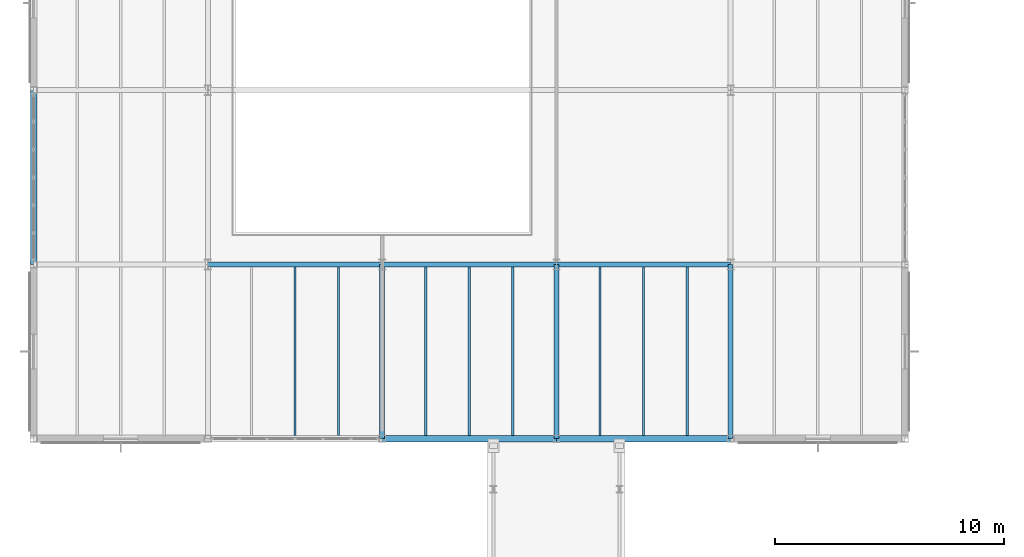
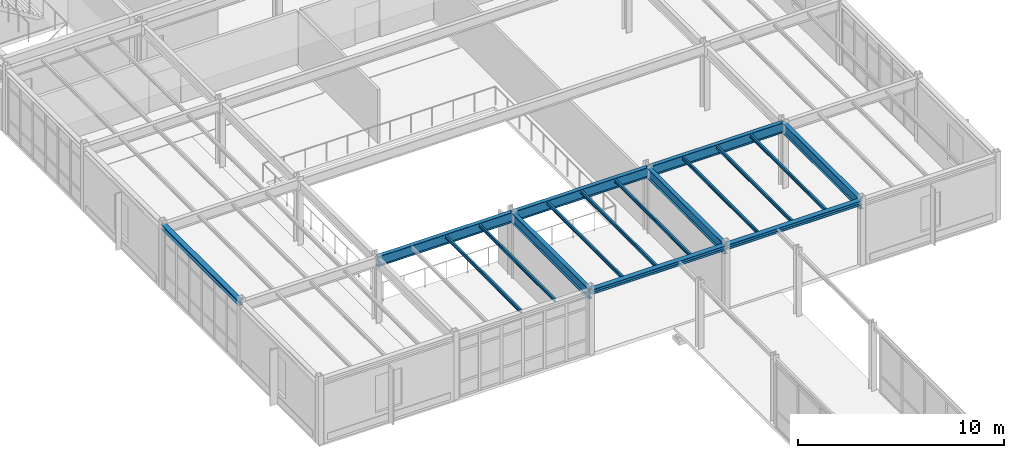
# One storey, part 66 of 165: 17 beams.
"""IFC4 building model written with IfcOpenShell, lengths in metres."""

from ifc_helpers import new_model, si_unit, direction, frame, origin, origin_2d, place, context, subcontext, project, spatial, i_section, extrude, material, material_profile, profile_set, type_object, element, save


model = new_model("IFC4")

# Units and contexts
model_context = context("Model", 3, precision=1e-05, world=origin(), true_north=direction((0.0, 1.0)))
body_context = subcontext(model_context, "Body", "Model", "MODEL_VIEW")
ifc_project = project(units=[si_unit("LENGTHUNIT", "METRE"), si_unit("AREAUNIT", "SQUARE_METRE"), si_unit("VOLUMEUNIT", "CUBIC_METRE"), si_unit("PLANEANGLEUNIT", "RADIAN"), si_unit("MASSUNIT", "GRAM", prefix="KILO")], contexts=[model_context])

# Site, building, storey
site_placement = place(None, origin())
site = spatial("IfcSite", under=ifc_project, at=site_placement, CompositionType="ELEMENT")
building_placement = place(site_placement, origin())
building = spatial("IfcBuilding", under=site, at=building_placement, Name="Montecoro Central Library", CompositionType="ELEMENT")
storey_placement = place(building_placement, frame((0.0, 0.0, 5.10009765625)))
storey = spatial("IfcBuildingStorey", under=building, at=storey_placement, Name="L01", CompositionType="ELEMENT", Elevation=5.10009765625)

# Beams
ifc_material_1 = material(Name="Steel S355J2", Category="steel")
ifc_material_profile_1 = material_profile(ifc_material_1, i_section(OverallWidth=0.219970703125, OverallDepth=0.60009765625, WebThickness=0.011962890625, FlangeThickness=0.01904296875, at=origin_2d()), Name="IPE 600")
ifc_profile_set_1 = profile_set([ifc_material_profile_1], Name="Steel S355J2")
beam_type_1 = type_object("IfcBeamType", Name="BM-G-IPE600", PredefinedType="USERDEFINED", material=ifc_profile_set_1)
beam_1_placement = place(storey_placement, frame((12.60498046875, 81.0, 3.52490234375), z_axis=(1.0, 0.0, 0.0), x_axis=(0.0, 1.0, 0.0)))
element("IfcBeam", 1, at=beam_1_placement, inside=storey, type_object=beam_type_1, Name="V4-L01-BX-23-L", ObjectType="GIRDER", PredefinedType="USERDEFINED", context=body_context, shape_type="SweptSolid", body=[
    extrude(i_section(OverallWidth=0.219970703125, OverallDepth=0.60009765625, WebThickness=0.011962890625, FlangeThickness=0.01904296875, at=origin_2d()), origin(), (0.0, 0.0, 1.0), 7.590087890625),
])
beam_2_placement = place(storey_placement, frame((20.205078125, 81.0, 3.52490234375), z_axis=(1.0, 0.0, 0.0), x_axis=(0.0, 1.0, 0.0)))
element("IfcBeam", 2, at=beam_2_placement, inside=storey, type_object=beam_type_1, Name="V4-L01-BX-34-L", ObjectType="GIRDER", PredefinedType="USERDEFINED", context=body_context, shape_type="SweptSolid", body=[
    extrude(i_section(OverallWidth=0.219970703125, OverallDepth=0.60009765625, WebThickness=0.011962890625, FlangeThickness=0.01904296875, at=origin_2d()), origin(), (0.0, 0.0, 1.0), 7.58984375),
])
for number, where, z_axis, x_axis, name in (
    (3, (27.804931640625, 81.0, 3.52490234375), (1.0, 0.0, 0.0), (0.0, 1.0, 0.0), "V4-L01-BX-45-L"),
    (4, (20.199951171875, 73.405029296875, 3.52490234375), (0.0, 1.0, 0.0), (-1.0, 0.0, 0.0), "V4-L01-BY-3-KL"),
    (5, (27.800048828125, 73.405029296875, 3.52490234375), (0.0, 1.0, 0.0), (-1.0, 0.0, 0.0), "V4-L01-BY-4-KL"),
    (6, (35.39990234375, 73.405029296875, 3.52490234375), (0.0, 1.0, 0.0), (-1.0, 0.0, 0.0), "V4-L01-BY-5-KL"),
):
    element("IfcBeam", number, at=place(storey_placement, frame(where, z_axis=z_axis, x_axis=x_axis)), inside=storey, type_object=beam_type_1, Name=name, ObjectType="GIRDER", PredefinedType="USERDEFINED", context=body_context, shape_type="SweptSolid", body=[
        extrude(i_section(OverallWidth=0.219970703125, OverallDepth=0.60009765625, WebThickness=0.011962890625, FlangeThickness=0.01904296875, at=origin_2d()), origin(), (0.0, 0.0, 1.0), 7.590087890625),
    ])
ifc_material_2 = material(Name="Steel S355", Category="steel")
ifc_material_profile_2 = material_profile(ifc_material_2, i_section(OverallWidth=0.10009765625, OverallDepth=0.199951171875, WebThickness=0.005615234375, FlangeThickness=0.008544921875, at=origin_2d()), Name="IPE 200")
ifc_profile_set_2 = profile_set([ifc_material_profile_2], Name="Steel S355")
beam_type_2 = type_object("IfcBeamType", Name="BM-J-IPE200", PredefinedType="JOIST", material=ifc_profile_set_2)
for number, where, z_axis, x_axis, name in (
    (7, (16.39990234375, 73.537109375, 3.724853515625), (0.0, 1.0, 0.0), (-1.0, 0.0, 0.0), "V4-L01-JS-23-KL-2"),
    (8, (18.300048828125, 73.537109375, 3.724853515625), (0.0, 1.0, 0.0), (-1.0, 0.0, 0.0), "V4-L01-JS-23-KL-3"),
    (9, (22.10009765625, 73.537109375, 3.724853515625), (0.0, 1.0, 0.0), (-1.0, 0.0, 0.0), "V4-L01-JS-34-KL-1"),
    (10, (24.0, 73.537109375, 3.724853515625), (0.0, 1.0, 0.0), (-1.0, 0.0, 0.0), "V4-L01-JS-34-KL-2"),
    (11, (25.89990234375, 73.537109375, 3.724853515625), (0.0, 1.0, 0.0), (-1.0, 0.0, 0.0), "V4-L01-JS-34-KL-3"),
    (12, (29.699951171875, 73.537109375, 3.724853515625), (0.0, 1.0, 0.0), (-1.0, 0.0, 0.0), "V4-L01-JS-45-KL-1"),
    (13, (31.60009765625, 73.537109375, 3.724853515625), (0.0, 1.0, 0.0), (-1.0, 0.0, 0.0), "V4-L01-JS-45-KL-2"),
    (14, (33.5, 73.537109375, 3.724853515625), (0.0, 1.0, 0.0), (-1.0, 0.0, 0.0), "V4-L01-JS-45-KL-3"),
):
    element("IfcBeam", number, at=place(storey_placement, frame(where, z_axis=z_axis, x_axis=x_axis)), inside=storey, type_object=beam_type_2, Name=name, PredefinedType="JOIST", context=body_context, shape_type="SweptSolid", body=[
        extrude(i_section(OverallWidth=0.10009765625, OverallDepth=0.199951171875, WebThickness=0.005615234375, FlangeThickness=0.008544921875, at=origin_2d()), origin(), (0.0, 0.0, 1.0), 7.35595703125),
    ])
ifc_material_profile_3 = material_profile(ifc_material_2, i_section(OverallWidth=0.280029296875, OverallDepth=0.27001953125, WebThickness=0.008056640625, FlangeThickness=0.012939453125, at=origin_2d()), Name="HEA 280")
ifc_profile_set_3 = profile_set([ifc_material_profile_3], Name="Steel S355")
beam_type_3 = type_object("IfcBeamType", Name="BM-SP-HEA280", PredefinedType="SPANDREL", material=ifc_profile_set_3)
beam_3_placement = place(storey_placement, frame((20.205078125, 73.39990234375, 3.68994140625), z_axis=(1.0, 0.0, 0.0), x_axis=(0.0, 1.0, 0.0)))
element("IfcBeam", 15, at=beam_3_placement, inside=storey, type_object=beam_type_3, Name="V4-L01-BX-34-K", PredefinedType="SPANDREL", context=body_context, shape_type="SweptSolid", body=[
    extrude(i_section(OverallWidth=0.280029296875, OverallDepth=0.27001953125, WebThickness=0.008056640625, FlangeThickness=0.012939453125, at=origin_2d()), origin(), (0.0, 0.0, 1.0), 7.58984375),
])
for number, where, z_axis, x_axis, name in (
    (16, (27.804931640625, 73.39990234375, 3.68994140625), (1.0, 0.0, 0.0), (0.0, 1.0, 0.0), "V4-L01-BX-45-K"),
    (17, (5.0, 81.0048828125, 3.68994140625), (0.0, 1.0, 0.0), (-1.0, 0.0, 0.0), "V4-L01-BY-1-LM"),
):
    element("IfcBeam", number, at=place(storey_placement, frame(where, z_axis=z_axis, x_axis=x_axis)), inside=storey, type_object=beam_type_3, Name=name, PredefinedType="SPANDREL", context=body_context, shape_type="SweptSolid", body=[
        extrude(i_section(OverallWidth=0.280029296875, OverallDepth=0.27001953125, WebThickness=0.008056640625, FlangeThickness=0.012939453125, at=origin_2d()), origin(), (0.0, 0.0, 1.0), 7.590087890625),
    ])

save(model, "model.ifc")
